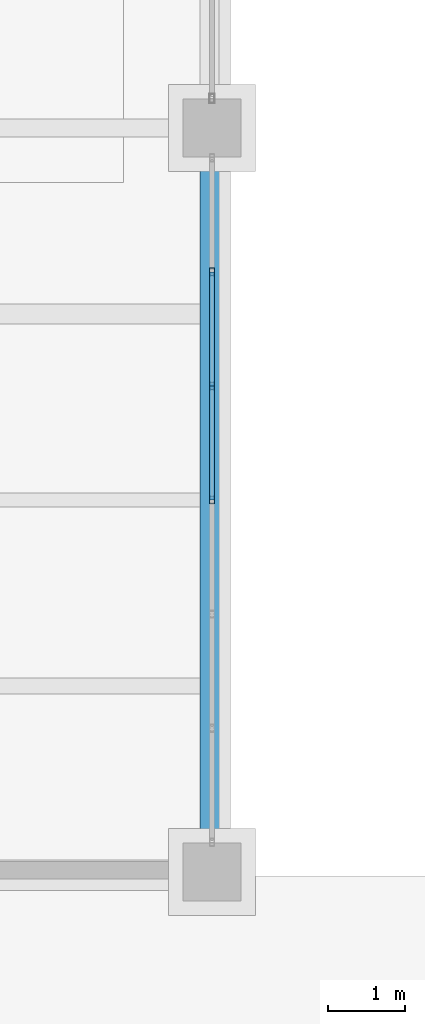
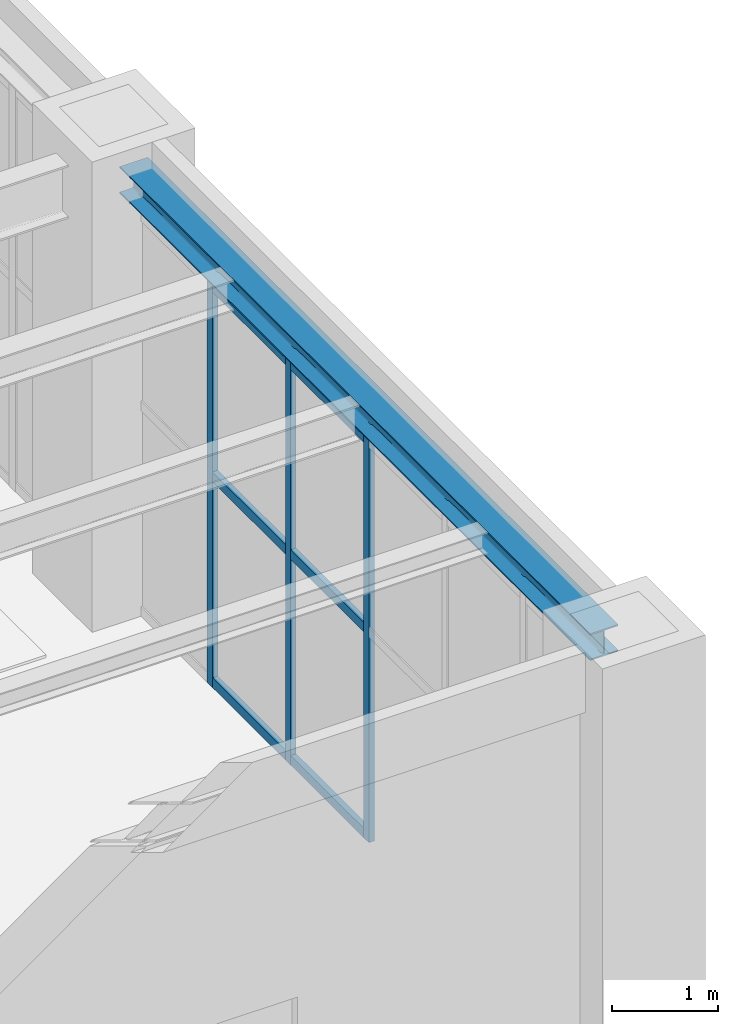
# One storey, part 67 of 164: 9 members, 1 beam, 1 element without a shape of its own.
"""IFC4 building model written with IfcOpenShell, lengths in metres."""

from ifc_helpers import new_model, si_unit, direction, frame, origin, origin_2d, place, context, subcontext, project, spatial, hollow_rectangle, i_section, extrude, material, material_profile, profile_set, type_object, element, aggregate, save


model = new_model("IFC4")

# Units and contexts
model_context = context("Model", 3, precision=1e-05, world=origin(), true_north=direction((0.0, 1.0)))
body_context = subcontext(model_context, "Body", "Model", "MODEL_VIEW")
ifc_project = project(units=[si_unit("LENGTHUNIT", "METRE"), si_unit("AREAUNIT", "SQUARE_METRE"), si_unit("VOLUMEUNIT", "CUBIC_METRE"), si_unit("PLANEANGLEUNIT", "RADIAN"), si_unit("MASSUNIT", "GRAM", prefix="KILO")], contexts=[model_context])

# Site, building, storey
site_placement = place(None, origin())
site = spatial("IfcSite", under=ifc_project, at=site_placement, CompositionType="ELEMENT")
building_placement = place(site_placement, origin())
building = spatial("IfcBuilding", under=site, at=building_placement, Name="Mavantir Sound Aquarium", CompositionType="ELEMENT")
storey_placement = place(building_placement, origin())
storey = spatial("IfcBuildingStorey", under=building, at=storey_placement, Name="L00", CompositionType="ELEMENT", Elevation=0.0)

# Beam
ifc_material_1 = material(Name="Structural Steel ASTM A992 Gr50", Category="steel")
ifc_material_profile_1 = material_profile(ifc_material_1, i_section(OverallWidth=0.304931640625, OverallDepth=0.30810546875, WebThickness=0.010009765625, FlangeThickness=0.015380859375, FilletRadius=0.014892578125, at=origin_2d()), Name="W310X97")
ifc_profile_set_1 = profile_set([ifc_material_profile_1], Name="Structural Steel ASTM A992 Gr50")
beam_type = type_object("IfcBeamType", Name="BM-W310X97-E", PredefinedType="SPANDREL", material=ifc_profile_set_1)
beam_placement = place(storey_placement, frame((38.39990234375, 83.97509765625, 4.94189453125), z_axis=(0.0, 1.0, 0.0), x_axis=(-1.0, 0.0, 0.0)))
element("IfcBeam", 1, at=beam_placement, inside=storey, type_object=beam_type, Name="L00 primary girder SS-31A 1066", PredefinedType="SPANDREL", context=body_context, shape_type="SweptSolid", body=[
    extrude(i_section(OverallWidth=0.304931640625, OverallDepth=0.30810546875, WebThickness=0.010009765625, FlangeThickness=0.015380859375, FilletRadius=0.014892578125, at=origin_2d()), origin(), (0.0, 0.0, 1.0), 8.849853515625),
])

# Curtain wall, members
ifc_material_2 = material(Name="Anodised Marine Aluminium and Low-E Glass", Category="aluminium")
curtain_wall_type = type_object("IfcCurtainWallType", Name="CW-T07", PredefinedType="USERDEFINED", material=ifc_material_2)
curtain_wall_placement = place(storey_placement, origin())
curtain_wall = element("IfcCurtainWall", 2, at=curtain_wall_placement, inside=storey, type_object=curtain_wall_type, Name="L00 unitised curtain wall CW-07 31", ObjectType="UNITISED GLAZING", PredefinedType="USERDEFINED")
ifc_material_3 = material(Name="Anodised Marine Aluminium 6063-T6", Category="aluminium")
ifc_material_profile_2 = material_profile(ifc_material_3, hollow_rectangle(XDim=0.06005859375, YDim=0.10009765625, WallThickness=0.00390625, at=origin_2d()), Name="ALU-MULLION-100X60")
ifc_profile_set_2 = profile_set([ifc_material_profile_2], Name="Anodised Marine Aluminium 6063-T6")
member_type_1 = type_object("IfcMemberType", Name="CW-MUL-100", PredefinedType="MULLION", material=ifc_profile_set_2)
member_1_placement = place(storey_placement, frame((38.39990234375, 88.39990234375, 0.0), z_axis=(0.0, 0.0, 1.0), x_axis=(1.0, 0.0, 0.0)))
member_1 = element("IfcMember", 3, at=member_1_placement, type_object=member_type_1, Name="CW-L00-031 vertical mullion 4", PredefinedType="MULLION", context=body_context, shape_type="SweptSolid", body=[
    extrude(hollow_rectangle(XDim=0.06005859375, YDim=0.10009765625, WallThickness=0.00390625, at=origin_2d()), origin(), (0.0, 0.0, 1.0), 4.64892578125),
])
member_2_placement = place(storey_placement, frame((38.39990234375, 89.872314453125, 0.0), z_axis=(0.0, 0.0, 1.0), x_axis=(1.0, 0.0, 0.0)))
member_2 = element("IfcMember", 4, at=member_2_placement, type_object=member_type_1, Name="CW-L00-031 vertical mullion 5", PredefinedType="MULLION", context=body_context, shape_type="SweptSolid", body=[
    extrude(hollow_rectangle(XDim=0.06005859375, YDim=0.10009765625, WallThickness=0.00390625, at=origin_2d()), origin(), (0.0, 0.0, 1.0), 4.64892578125),
])
member_3_placement = place(storey_placement, frame((38.39990234375, 91.3447265625, 0.0), z_axis=(0.0, 0.0, 1.0), x_axis=(1.0, 0.0, 0.0)))
member_3 = element("IfcMember", 5, at=member_3_placement, type_object=member_type_1, Name="CW-L00-031 vertical mullion 6", PredefinedType="MULLION", context=body_context, shape_type="SweptSolid", body=[
    extrude(hollow_rectangle(XDim=0.06005859375, YDim=0.10009765625, WallThickness=0.00390625, at=origin_2d()), origin(), (0.0, 0.0, 1.0), 4.64892578125),
])
ifc_material_profile_3 = material_profile(ifc_material_3, hollow_rectangle(XDim=0.06005859375, YDim=0.110107421875, WallThickness=0.00390625, at=origin_2d()), Name="ALU-TRANSOM-110X60")
ifc_profile_set_3 = profile_set([ifc_material_profile_3], Name="Anodised Marine Aluminium 6063-T6")
member_type_2 = type_object("IfcMemberType", Name="CW-TRN-110", PredefinedType="USERDEFINED", material=ifc_profile_set_3)
member_4_placement = place(storey_placement, frame((38.39990234375, 88.39990234375, 0.054931640625), z_axis=(0.0, 1.0, 0.0), x_axis=(-1.0, 0.0, 0.0)))
member_4 = element("IfcMember", 6, at=member_4_placement, type_object=member_type_2, Name="CW-L00-031 transom 4.1", ObjectType="TRANSOM", PredefinedType="USERDEFINED", context=body_context, shape_type="SweptSolid", body=[
    extrude(hollow_rectangle(XDim=0.06005859375, YDim=0.110107421875, WallThickness=0.00390625, at=origin_2d()), origin(), (0.0, 0.0, 1.0), 1.472412109375),
])
member_5_placement = place(storey_placement, frame((38.39990234375, 88.39990234375, 2.41748046875), z_axis=(0.0, 1.0, 0.0), x_axis=(-1.0, 0.0, 0.0)))
member_5 = element("IfcMember", 7, at=member_5_placement, type_object=member_type_2, Name="CW-L00-031 transom 4.2", ObjectType="TRANSOM", PredefinedType="USERDEFINED", context=body_context, shape_type="SweptSolid", body=[
    extrude(hollow_rectangle(XDim=0.06005859375, YDim=0.110107421875, WallThickness=0.00390625, at=origin_2d()), origin(), (0.0, 0.0, 1.0), 1.472412109375),
])
member_6_placement = place(storey_placement, frame((38.39990234375, 88.39990234375, 4.593994140625), z_axis=(0.0, 1.0, 0.0), x_axis=(-1.0, 0.0, 0.0)))
member_6 = element("IfcMember", 8, at=member_6_placement, type_object=member_type_2, Name="CW-L00-031 transom 4.3", ObjectType="TRANSOM", PredefinedType="USERDEFINED", context=body_context, shape_type="SweptSolid", body=[
    extrude(hollow_rectangle(XDim=0.06005859375, YDim=0.110107421875, WallThickness=0.00390625, at=origin_2d()), origin(), (0.0, 0.0, 1.0), 1.472412109375),
])
member_7_placement = place(storey_placement, frame((38.39990234375, 89.872314453125, 0.054931640625), z_axis=(0.0, 1.0, 0.0), x_axis=(-1.0, 0.0, 0.0)))
member_7 = element("IfcMember", 9, at=member_7_placement, type_object=member_type_2, Name="CW-L00-031 transom 5.1", ObjectType="TRANSOM", PredefinedType="USERDEFINED", context=body_context, shape_type="SweptSolid", body=[
    extrude(hollow_rectangle(XDim=0.06005859375, YDim=0.110107421875, WallThickness=0.00390625, at=origin_2d()), origin(), (0.0, 0.0, 1.0), 1.472412109375),
])
member_8_placement = place(storey_placement, frame((38.39990234375, 89.872314453125, 2.41748046875), z_axis=(0.0, 1.0, 0.0), x_axis=(-1.0, 0.0, 0.0)))
member_8 = element("IfcMember", 10, at=member_8_placement, type_object=member_type_2, Name="CW-L00-031 transom 5.2", ObjectType="TRANSOM", PredefinedType="USERDEFINED", context=body_context, shape_type="SweptSolid", body=[
    extrude(hollow_rectangle(XDim=0.06005859375, YDim=0.110107421875, WallThickness=0.00390625, at=origin_2d()), origin(), (0.0, 0.0, 1.0), 1.472412109375),
])
member_9_placement = place(storey_placement, frame((38.39990234375, 89.872314453125, 4.593994140625), z_axis=(0.0, 1.0, 0.0), x_axis=(-1.0, 0.0, 0.0)))
member_9 = element("IfcMember", 11, at=member_9_placement, type_object=member_type_2, Name="CW-L00-031 transom 5.3", ObjectType="TRANSOM", PredefinedType="USERDEFINED", context=body_context, shape_type="SweptSolid", body=[
    extrude(hollow_rectangle(XDim=0.06005859375, YDim=0.110107421875, WallThickness=0.00390625, at=origin_2d()), origin(), (0.0, 0.0, 1.0), 1.472412109375),
])
aggregate(curtain_wall, [member_1, member_2, member_3, member_4, member_5, member_6, member_7, member_8, member_9])

save(model, "model.ifc")
